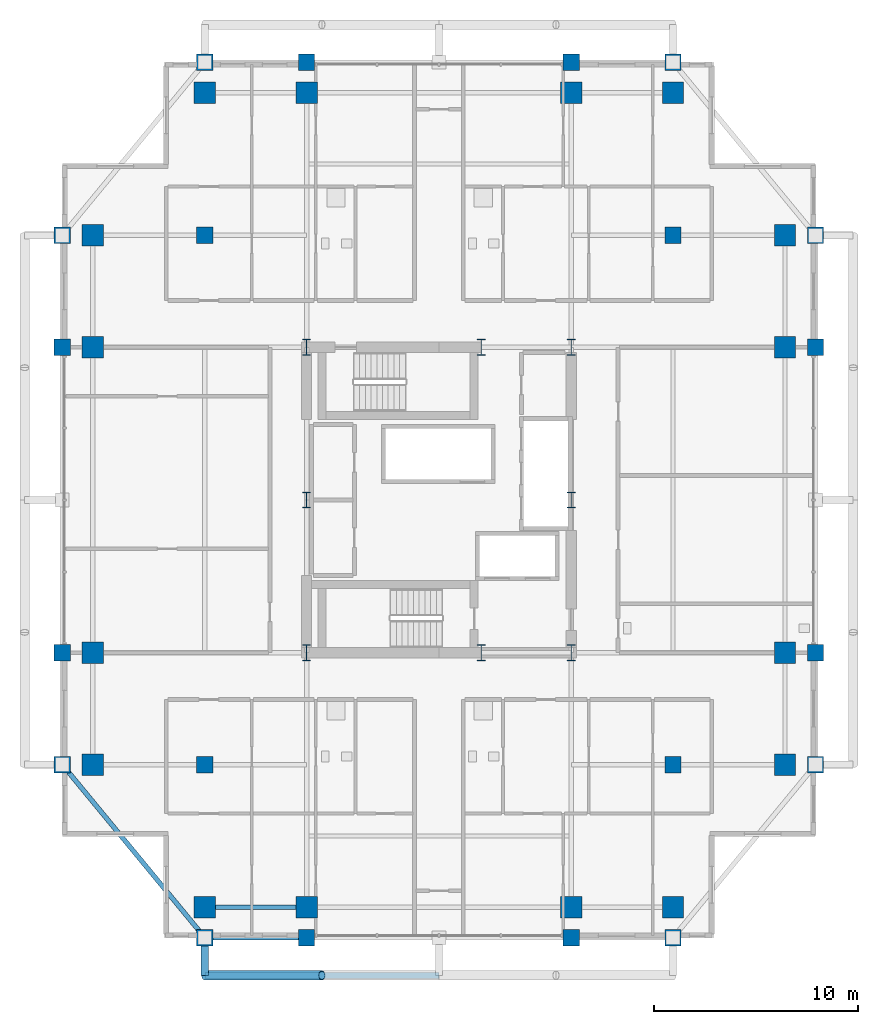
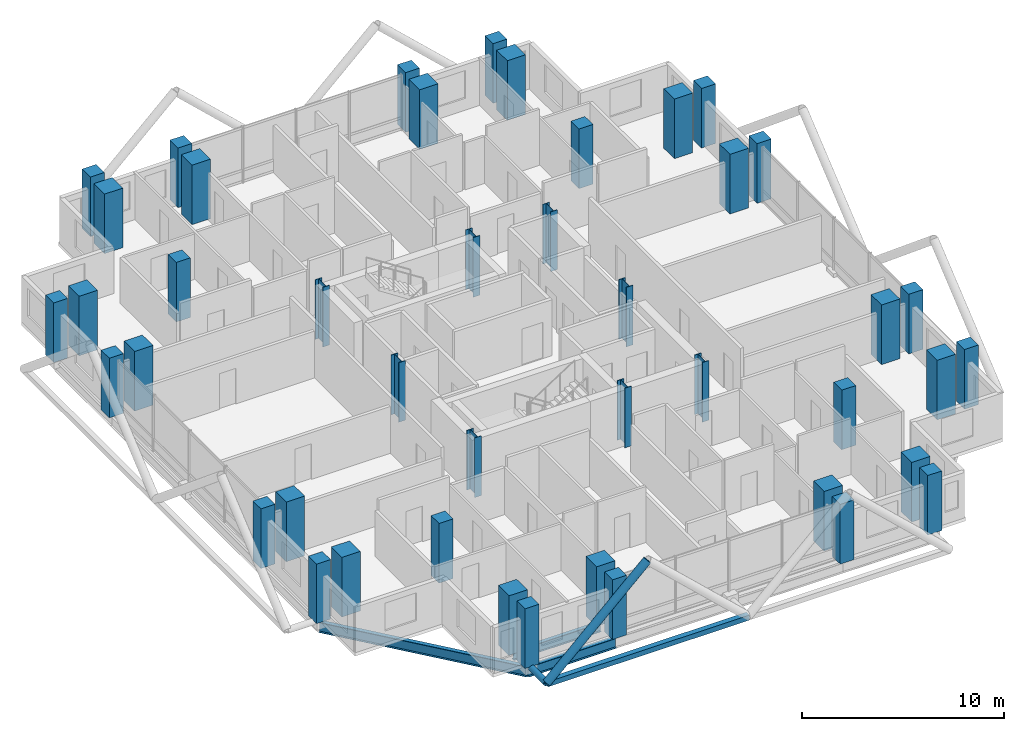
# One storey, part 1 of 26: 44 columns, 3 beams, 3 members.
"""IFC4 building model written with IfcOpenShell, lengths in metres."""

from ifc_helpers import new_model, si_unit, direction, frame, origin, origin_2d, place, context, subcontext, project, spatial, rectangle, hollow_rectangle, hollow_circle, i_section, extrude, material, material_profile, profile_set, type_object, element, save


model = new_model("IFC4")

# Units and contexts
model_context = context("Model", 3, precision=1e-05, world=origin(), true_north=direction((0.0, 1.0)))
body_context = subcontext(model_context, "Body", "Model", "MODEL_VIEW")
ifc_project = project(units=[si_unit("LENGTHUNIT", "METRE"), si_unit("AREAUNIT", "SQUARE_METRE"), si_unit("VOLUMEUNIT", "CUBIC_METRE"), si_unit("PLANEANGLEUNIT", "RADIAN"), si_unit("MASSUNIT", "GRAM", prefix="KILO")], contexts=[model_context])

# Site, building, storey
site_placement = place(None, origin())
site = spatial("IfcSite", under=ifc_project, at=site_placement, CompositionType="ELEMENT")
building_placement = place(site_placement, origin())
building = spatial("IfcBuilding", under=site, at=building_placement, Name="Barlavira Tower and Art Museum", CompositionType="ELEMENT")
storey_placement = place(building_placement, frame((0.0, 0.0, 198.0)))
storey = spatial("IfcBuildingStorey", under=building, at=storey_placement, Name="L51", CompositionType="ELEMENT", Elevation=198.0)

# Columns
ifc_material_1 = material(Name="Steel S355", Category="steel")
ifc_material_profile_1 = material_profile(ifc_material_1, i_section(OverallWidth=0.382080078125, OverallDepth=0.785888671875, WebThickness=0.02001953125, FlangeThickness=0.032958984375, at=origin_2d()), Name="W760x314.0")
ifc_profile_set_1 = profile_set([ifc_material_profile_1], Name="Steel S355")
column_type_1 = type_object("IfcColumnType", Name="Core Composite Column W760x314 Steel S355", PredefinedType="COLUMN", material=ifc_profile_set_1)
for number, where, z_axis, x_axis, name in (
    (1, (-6.5, -7.5, 0.0), (0.0, 0.0, 1.0), (1.0, 0.0, 0.0), "L51 Column CC-L51-C1"),
    (2, (2.080078125, -7.5, 0.0), (0.0, 0.0, 1.0), (1.0, 0.0, 0.0), "L51 Column CC-L51-C2"),
    (3, (6.5, -7.5, 0.0), (0.0, 0.0, 1.0), (1.0, 0.0, 0.0), "L51 Column CC-L51-C3"),
    (4, (-6.5, 0.0, 0.0), (0.0, 0.0, 1.0), (1.0, 0.0, 0.0), "L51 Column CC-L51-C4"),
    (5, (6.5, 0.0, 0.0), (0.0, 0.0, 1.0), (1.0, 0.0, 0.0), "L51 Column CC-L51-C5"),
    (6, (-6.5, 7.5, 0.0), (0.0, 0.0, 1.0), (1.0, 0.0, 0.0), "L51 Column CC-L51-C6"),
    (7, (2.080078125, 7.5, 0.0), (0.0, 0.0, 1.0), (1.0, 0.0, 0.0), "L51 Column CC-L51-C7"),
    (8, (6.5, 7.5, 0.0), (0.0, 0.0, 1.0), (1.0, 0.0, 0.0), "L51 Column CC-L51-C8"),
):
    element("IfcColumn", number, at=place(storey_placement, frame(where, z_axis=z_axis, x_axis=x_axis)), inside=storey, type_object=column_type_1, Name=name, PredefinedType="COLUMN", context=body_context, shape_type="SweptSolid", body=[
        extrude(i_section(OverallWidth=0.382080078125, OverallDepth=0.785888671875, WebThickness=0.02001953125, FlangeThickness=0.032958984375, at=origin_2d()), origin(), (0.0, 0.0, 1.0), 3.60009765625),
    ])
ifc_material_2 = material(Name="Concrete C55", Category="concrete")
ifc_material_profile_2 = material_profile(ifc_material_2, rectangle(XDim=1.050048828125, YDim=1.050048828125, at=origin_2d()), Name="RC-COL 1050x1050")
ifc_profile_set_2 = profile_set([ifc_material_profile_2], Name="Concrete C55")
column_type_2 = type_object("IfcColumnType", Name="Perimeter Mega Column 1050x1050 Concrete C55", PredefinedType="USERDEFINED", material=ifc_profile_set_2)
for number, where, z_axis, x_axis, name in (
    (9, (-11.5, -20.0, 0.0), (0.0, 0.0, 1.0), (1.0, 0.0, 0.0), "L51 Column MC-L51-M01"),
    (10, (-6.5, -20.0, 0.0), (0.0, 0.0, 1.0), (1.0, 0.0, 0.0), "L51 Column MC-L51-M02"),
    (11, (6.5, -20.0, 0.0), (0.0, 0.0, 1.0), (1.0, 0.0, 0.0), "L51 Column MC-L51-M03"),
    (12, (11.5, -20.0, 0.0), (0.0, 0.0, 1.0), (1.0, 0.0, 0.0), "L51 Column MC-L51-M04"),
    (13, (17.0, -13.0, 0.0), (0.0, 0.0, 1.0), (1.0, 0.0, 0.0), "L51 Column MC-L51-M05"),
    (14, (17.0, -7.5, 0.0), (0.0, 0.0, 1.0), (1.0, 0.0, 0.0), "L51 Column MC-L51-M06"),
    (15, (17.0, 7.5, 0.0), (0.0, 0.0, 1.0), (1.0, 0.0, 0.0), "L51 Column MC-L51-M07"),
    (16, (17.0, 13.0, 0.0), (0.0, 0.0, 1.0), (1.0, 0.0, 0.0), "L51 Column MC-L51-M08"),
    (17, (11.5, 20.0, 0.0), (0.0, 0.0, 1.0), (1.0, 0.0, 0.0), "L51 Column MC-L51-M09"),
    (18, (6.5, 20.0, 0.0), (0.0, 0.0, 1.0), (1.0, 0.0, 0.0), "L51 Column MC-L51-M10"),
    (19, (-6.5, 20.0, 0.0), (0.0, 0.0, 1.0), (1.0, 0.0, 0.0), "L51 Column MC-L51-M11"),
    (20, (-11.5, 20.0, 0.0), (0.0, 0.0, 1.0), (1.0, 0.0, 0.0), "L51 Column MC-L51-M12"),
    (21, (-17.0, 13.0, 0.0), (0.0, 0.0, 1.0), (1.0, 0.0, 0.0), "L51 Column MC-L51-M13"),
    (22, (-17.0, 7.5, 0.0), (0.0, 0.0, 1.0), (1.0, 0.0, 0.0), "L51 Column MC-L51-M14"),
    (23, (-17.0, -7.5, 0.0), (0.0, 0.0, 1.0), (1.0, 0.0, 0.0), "L51 Column MC-L51-M15"),
    (24, (-17.0, -13.0, 0.0), (0.0, 0.0, 1.0), (1.0, 0.0, 0.0), "L51 Column MC-L51-M16"),
):
    element("IfcColumn", number, at=place(storey_placement, frame(where, z_axis=z_axis, x_axis=x_axis)), inside=storey, type_object=column_type_2, Name=name, ObjectType="MEGA COLUMN", PredefinedType="USERDEFINED", context=body_context, shape_type="SweptSolid", body=[
        extrude(rectangle(XDim=1.050048828125, YDim=1.050048828125, at=origin_2d()), origin(), (0.0, 0.0, 1.0), 3.60009765625),
    ])
ifc_material_3 = material(Name="Concrete C50", Category="concrete")
ifc_material_profile_3 = material_profile(ifc_material_3, rectangle(XDim=0.800048828125, YDim=0.800048828125, at=origin_2d()), Name="RC-COL 800x800")
ifc_profile_set_3 = profile_set([ifc_material_profile_3], Name="Concrete C50")
column_type_3 = type_object("IfcColumnType", Name="Podium Frame Column 800x800 Concrete C50", PredefinedType="COLUMN", material=ifc_profile_set_3)
for number, where, z_axis, x_axis, name in (
    (25, (-11.5, -13.0, 0.0), (0.0, 0.0, 1.0), (1.0, 0.0, 0.0), "L51 Column CI-L51-I1"),
    (26, (11.5, -13.0, 0.0), (0.0, 0.0, 1.0), (1.0, 0.0, 0.0), "L51 Column CI-L51-I2"),
    (27, (-11.5, 13.0, 0.0), (0.0, 0.0, 1.0), (1.0, 0.0, 0.0), "L51 Column CI-L51-I3"),
    (28, (11.5, 13.0, 0.0), (0.0, 0.0, 1.0), (1.0, 0.0, 0.0), "L51 Column CI-L51-I4"),
    (29, (-11.5, -21.5, 0.0), (0.0, 0.0, 1.0), (1.0, 0.0, 0.0), "L51 Column CZ3-L51-N01"),
    (30, (-6.5, -21.5, 0.0), (0.0, 0.0, 1.0), (1.0, 0.0, 0.0), "L51 Column CZ3-L51-N02"),
    (31, (6.5, -21.5, 0.0), (0.0, 0.0, 1.0), (1.0, 0.0, 0.0), "L51 Column CZ3-L51-N02B"),
    (32, (11.5, -21.5, 0.0), (0.0, 0.0, 1.0), (1.0, 0.0, 0.0), "L51 Column CZ3-L51-N03"),
    (33, (-18.5, -13.0, 0.0), (0.0, 0.0, 1.0), (1.0, 0.0, 0.0), "L51 Column CZ3-L51-N04"),
    (34, (-18.5, -7.5, 0.0), (0.0, 0.0, 1.0), (1.0, 0.0, 0.0), "L51 Column CZ3-L51-N05"),
    (35, (-18.5, 7.5, 0.0), (0.0, 0.0, 1.0), (1.0, 0.0, 0.0), "L51 Column CZ3-L51-N05B"),
    (36, (-18.5, 13.0, 0.0), (0.0, 0.0, 1.0), (1.0, 0.0, 0.0), "L51 Column CZ3-L51-N06"),
    (37, (-11.5, 21.5, 0.0), (0.0, 0.0, 1.0), (1.0, 0.0, 0.0), "L51 Column CZ3-L51-N07"),
    (38, (-6.5, 21.5, 0.0), (0.0, 0.0, 1.0), (1.0, 0.0, 0.0), "L51 Column CZ3-L51-N08"),
    (39, (6.5, 21.5, 0.0), (0.0, 0.0, 1.0), (1.0, 0.0, 0.0), "L51 Column CZ3-L51-N08B"),
    (40, (11.5, 21.5, 0.0), (0.0, 0.0, 1.0), (1.0, 0.0, 0.0), "L51 Column CZ3-L51-N09"),
    (41, (18.5, -13.0, 0.0), (0.0, 0.0, 1.0), (1.0, 0.0, 0.0), "L51 Column CZ3-L51-N10"),
    (42, (18.5, -7.5, 0.0), (0.0, 0.0, 1.0), (1.0, 0.0, 0.0), "L51 Column CZ3-L51-N11"),
    (43, (18.5, 7.5, 0.0), (0.0, 0.0, 1.0), (1.0, 0.0, 0.0), "L51 Column CZ3-L51-N11B"),
    (44, (18.5, 13.0, 0.0), (0.0, 0.0, 1.0), (1.0, 0.0, 0.0), "L51 Column CZ3-L51-N12"),
):
    element("IfcColumn", number, at=place(storey_placement, frame(where, z_axis=z_axis, x_axis=x_axis)), inside=storey, type_object=column_type_3, Name=name, PredefinedType="COLUMN", context=body_context, shape_type="SweptSolid", body=[
        extrude(rectangle(XDim=0.800048828125, YDim=0.800048828125, at=origin_2d()), origin(), (0.0, 0.0, 1.0), 3.60009765625),
    ])

# Members
ifc_material_profile_4 = material_profile(ifc_material_1, hollow_circle(Radius=0.228515625, WallThickness=0.02001953125, at=origin_2d()), Name="CHS 457.0x20.0")
ifc_profile_set_4 = profile_set([ifc_material_profile_4], Name="Steel S355")
member_type_1 = type_object("IfcMemberType", Name="Pale-Metal Exoskeleton Diagrid Tube CHS 457x20 Steel S355", PredefinedType="BRACE", material=ifc_profile_set_4)
member_1_placement = place(storey_placement, frame((-11.5, -23.35009765625, -0.1201171875), z_axis=(0.728934650808, 0.0, 0.684583285548), x_axis=(0.0, 1.0, 0.0)))
element("IfcMember", 45, at=member_1_placement, inside=storey, type_object=member_type_1, Name="L51 Exoskeleton Diagrid Tube S", PredefinedType="BRACE", context=body_context, shape_type="SweptSolid", body=[
    extrude(hollow_circle(Radius=0.228515625, WallThickness=0.02001953125, at=origin_2d()), origin(), (0.0, 0.0, 1.0), 7.88818359375),
])
ifc_material_profile_5 = material_profile(ifc_material_1, hollow_circle(Radius=0.177734375, WallThickness=0.01611328125, at=origin_2d()), Name="CHS 355.6x16.0")
ifc_profile_set_5 = profile_set([ifc_material_profile_5], Name="Steel S355")
member_type_2 = type_object("IfcMemberType", Name="Pale-Metal Exoskeleton Tie Strut CHS 356x16 Steel S355", PredefinedType="STRUT", material=ifc_profile_set_5)
member_2_placement = place(storey_placement, frame((-11.5, -23.35009765625, -0.1201171875), z_axis=(0.0, 1.0, 0.0), x_axis=(-1.0, 0.0, 0.0)))
element("IfcMember", 46, at=member_2_placement, inside=storey, type_object=member_type_2, Name="L51 Exoskeleton Tie Strut S1", PredefinedType="STRUT", context=body_context, shape_type="SweptSolid", body=[
    extrude(hollow_circle(Radius=0.177734375, WallThickness=0.01611328125, at=origin_2d()), origin(), (0.0, 0.0, 1.0), 1.85009765625),
])
ifc_material_profile_6 = material_profile(ifc_material_1, hollow_rectangle(XDim=0.300048828125, YDim=0.300048828125, WallThickness=0.01611328125, at=origin_2d()), Name="SHS 300x300x16.0")
ifc_profile_set_6 = profile_set([ifc_material_profile_6], Name="Steel S355")
member_type_3 = type_object("IfcMemberType", Name="Pale-Metal Upper Ring Strut SHS 300x300x16 Steel S355", PredefinedType="STRUT", material=ifc_profile_set_6)
member_3_placement = place(storey_placement, frame((-11.5, -23.35009765625, -0.1201171875), z_axis=(1.0, 0.0, 0.0), x_axis=(0.0, 1.0, 0.0)))
element("IfcMember", 47, at=member_3_placement, inside=storey, type_object=member_type_3, Name="L51 Exoskeleton Ring Strut S", PredefinedType="STRUT", context=body_context, shape_type="SweptSolid", body=[
    extrude(hollow_rectangle(XDim=0.300048828125, YDim=0.300048828125, WallThickness=0.01611328125, at=origin_2d()), origin(), (0.0, 0.0, 1.0), 11.5),
])

# Beams
ifc_material_profile_7 = material_profile(ifc_material_1, i_section(OverallWidth=0.22998046875, OverallDepth=0.616943359375, WebThickness=0.01318359375, FlangeThickness=0.022216796875, at=origin_2d()), Name="W610x140.0")
ifc_profile_set_7 = profile_set([ifc_material_profile_7], Name="Steel S355")
beam_type_1 = type_object("IfcBeamType", Name="Upper Shaft Spandrel Edge Beam W610x140 Steel S355", PredefinedType="SPANDREL", material=ifc_profile_set_7)
beam_1_placement = place(storey_placement, frame((-11.5, -21.5, -0.528564453125), z_axis=(1.0, 0.0, 0.0), x_axis=(0.0, 1.0, 0.0)))
element("IfcBeam", 48, at=beam_1_placement, inside=storey, type_object=beam_type_1, Name="L51 Spandrel 1", PredefinedType="SPANDREL", context=body_context, shape_type="SweptSolid", body=[
    extrude(i_section(OverallWidth=0.22998046875, OverallDepth=0.616943359375, WebThickness=0.01318359375, FlangeThickness=0.022216796875, at=origin_2d()), origin(), (0.0, 0.0, 1.0), 5.0),
])
beam_2_placement = place(storey_placement, frame((-18.5, -13.0, -0.528564453125), z_axis=(0.635707252861, -0.771930235617, 0.0), x_axis=(0.771930235617, 0.635707252861, 0.0)))
element("IfcBeam", 49, at=beam_2_placement, inside=storey, type_object=beam_type_1, Name="L51 Spandrel 16", PredefinedType="SPANDREL", context=body_context, shape_type="SweptSolid", body=[
    extrude(i_section(OverallWidth=0.22998046875, OverallDepth=0.616943359375, WebThickness=0.01318359375, FlangeThickness=0.022216796875, at=origin_2d()), origin(), (0.0, 0.0, 1.0), 11.011474609375),
])
ifc_material_profile_8 = material_profile(ifc_material_1, i_section(OverallWidth=0.2109375, OverallDepth=0.5390625, WebThickness=0.01171875, FlangeThickness=0.018798828125, at=origin_2d()), Name="W530x109.0")
ifc_profile_set_8 = profile_set([ifc_material_profile_8], Name="Steel S355")
beam_type_2 = type_object("IfcBeamType", Name="Zone 3-4 Primary Floor Girder W530x109 Steel S355", PredefinedType="BEAM", material=ifc_profile_set_8)
beam_3_placement = place(storey_placement, frame((-11.5, -20.0, -0.489501953125), z_axis=(1.0, 0.0, 0.0), x_axis=(0.0, 1.0, 0.0)))
element("IfcBeam", 50, at=beam_3_placement, inside=storey, type_object=beam_type_2, Name="L51 Girder M-S1", PredefinedType="BEAM", context=body_context, shape_type="SweptSolid", body=[
    extrude(i_section(OverallWidth=0.2109375, OverallDepth=0.5390625, WebThickness=0.01171875, FlangeThickness=0.018798828125, at=origin_2d()), origin(), (0.0, 0.0, 1.0), 5.0),
])

save(model, "model.ifc")
